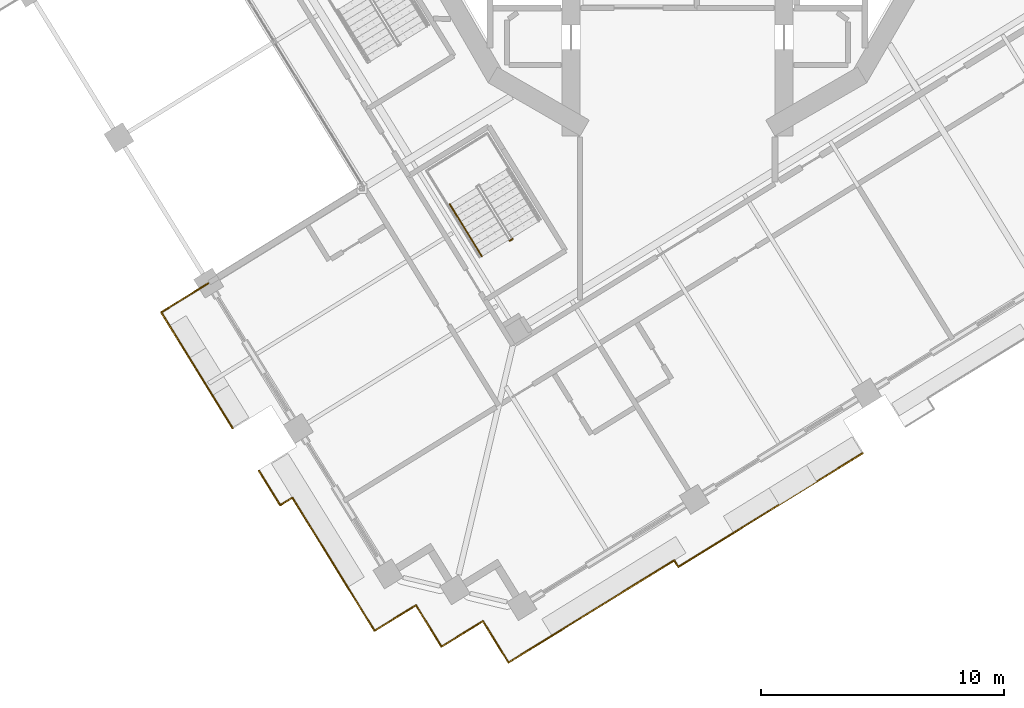
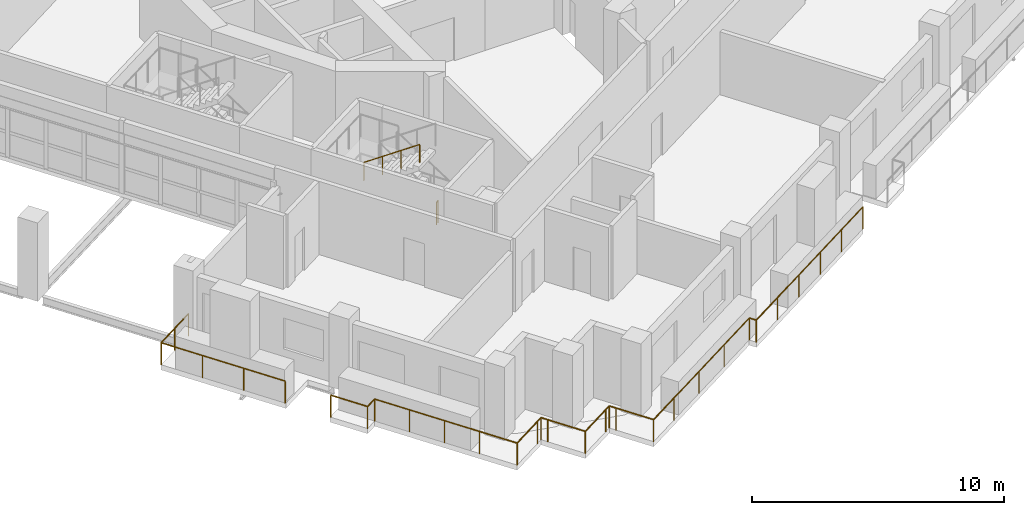
# One storey, part 13 of 20: 5 railings.
"""IFC4 building model written with IfcOpenShell, lengths in metres."""

import ifcopenshell
import ifcopenshell.guid

model = None  # the IFC model being written
_history = None  # IfcOwnerHistory: only IFC2X3 demands one
_inside = {}  # id of a spatial element -> (the spatial element, [elements in it])
_under = {}  # id of a project, library or spatial element -> (it, [spatial elements below it])
_declared = {}  # id of a project -> (the project, [libraries it declares])
_typed = {}  # id of a type object -> (the type object, [elements of that type])
_made_of = {}  # id of a material, layer set ... -> (it, [elements and type objects made of it])


def new_model(schema):
    """Start an empty IFC model of exactly this schema.

    Asked for "IFC4X3", IfcOpenShell would pick the latest addendum, in which some entities
    have other attributes; the version numbers below select the first issue.
    IFC2X3 requires an IfcOwnerHistory on every rooted entity: one is made here for all.
    """
    global model, _history
    if schema == "IFC4X3":
        model = ifcopenshell.file(schema_version=(4, 3, 0, 0))
    else:
        model = ifcopenshell.file(schema=schema)
    _inside.clear()
    _under.clear()
    _declared.clear()
    _typed.clear()
    _made_of.clear()
    _history = None
    if model.schema == "IFC2X3":
        org = make("IfcOrganization", Name="unknown")
        user = make(
            "IfcPersonAndOrganization",
            ThePerson=make("IfcPerson", FamilyName="unknown"),
            TheOrganization=org,
        )
        app = make(
            "IfcApplication",
            ApplicationDeveloper=org,
            Version="unknown",
            ApplicationFullName="unknown",
            ApplicationIdentifier="unknown",
        )
        _history = make(
            "IfcOwnerHistory",
            OwningUser=user,
            OwningApplication=app,
            ChangeAction="ADDED",
            CreationDate=0,
        )
    return model


def make(cls, **values):
    """One entity of the class cls with the attributes given. An attribute that is None is left unset."""
    return model.create_entity(
        cls, **{name: value for name, value in values.items() if value is not None}
    )


def rooted(cls, **values):
    """An entity with a GlobalId (a new one), such as an element, a storey or a relation."""
    return make(cls, GlobalId=ifcopenshell.guid.new(), OwnerHistory=_history, **values)


def si_unit(unit_type, name, prefix=None):
    """IfcSIUnit, for example si_unit("LENGTHUNIT", "METRE", prefix="MILLI")."""
    return make("IfcSIUnit", UnitType=unit_type, Prefix=prefix, Name=name)


def assignment(units):
    """IfcUnitAssignment: the units of a project."""
    return None if units is None else make("IfcUnitAssignment", Units=units)


def point(xyz):
    """IfcCartesianPoint."""
    return None if xyz is None else make("IfcCartesianPoint", Coordinates=xyz)


def direction(xyz):
    """IfcDirection."""
    return None if xyz is None else make("IfcDirection", DirectionRatios=xyz)


def frame(location, z_axis=None, x_axis=None):
    """IfcAxis2Placement3D, a coordinate frame: its origin and axes. An axis left out is left unset."""
    return make(
        "IfcAxis2Placement3D",
        Location=point(location),
        Axis=direction(z_axis),
        RefDirection=direction(x_axis),
    )


def frame_2d(location, x_axis=None):
    """IfcAxis2Placement2D, a coordinate frame in the plane: its origin and x axis."""
    return make(
        "IfcAxis2Placement2D", Location=point(location), RefDirection=direction(x_axis)
    )


def origin():
    """The frame at (0, 0, 0) with its axes left unset."""
    return frame((0.0, 0.0, 0.0))


def origin_2d():
    """The frame at (0, 0) in the plane with its x axis left unset."""
    return frame_2d((0.0, 0.0))


def place(relative_to, where):
    """IfcLocalPlacement: puts the frame where relative to a parent placement (None: the world)."""
    return make(
        "IfcLocalPlacement", PlacementRelTo=relative_to, RelativePlacement=where
    )


def context(
    kind, dimensions, precision=None, world=None, true_north=None, identifier=None
):
    """IfcGeometricRepresentationContext, for example the 3D "Model" context."""
    return make(
        "IfcGeometricRepresentationContext",
        ContextIdentifier=identifier,
        ContextType=kind,
        CoordinateSpaceDimension=dimensions,
        Precision=precision,
        WorldCoordinateSystem=world,
        TrueNorth=true_north,
    )


def subcontext(parent, identifier, kind, view, scale=None):
    """IfcGeometricRepresentationSubContext, for example "Body" below "Model"."""
    return make(
        "IfcGeometricRepresentationSubContext",
        ContextIdentifier=identifier,
        ContextType=kind,
        ParentContext=parent,
        TargetScale=scale,
        TargetView=view,
    )


def project(units=None, contexts=None):
    """IfcProject with its units and contexts."""
    return rooted(
        "IfcProject",
        Name="project",
        RepresentationContexts=contexts,
        UnitsInContext=assignment(units),
    )


def spatial(cls, under=None, at=None, **own):
    """A site, building, storey or space (cls), placed at a placement, below another one or the project."""
    s = rooted(cls, ObjectPlacement=at, **own)
    if under is not None:
        _under.setdefault(under.id(), (under, []))[1].append(s)
    return s


def profile(cls, at=None, kind="AREA", **sizes):
    """A parametric profile (cls). Its sizes go by their IFC names, for example OverallWidth=200.0."""
    return make(cls, ProfileType=kind, Position=at, **sizes)


def circle(**sizes):
    """IfcCircleProfileDef."""
    return profile("IfcCircleProfileDef", **sizes)


def extrude(swept, where, along, depth):
    """IfcExtrudedAreaSolid: the profile swept, set in the frame where, extruded along a direction by depth."""
    return make(
        "IfcExtrudedAreaSolid",
        SweptArea=swept,
        Position=where,
        ExtrudedDirection=direction(along),
        Depth=depth,
    )


def shape(context_of_items, identifier, shape_type, items):
    """IfcShapeRepresentation: the items that make up one representation, for example the "Body"."""
    return make(
        "IfcShapeRepresentation",
        ContextOfItems=context_of_items,
        RepresentationIdentifier=identifier,
        RepresentationType=shape_type,
        Items=items,
    )


def material(Name=None, Category=None):
    """IfcMaterial."""
    return make("IfcMaterial", Name=Name, Category=Category)


def made_of(thing, what):
    """Note that an element or type object is made of a material, layer set ...; save() writes the relation."""
    if what is not None:
        _made_of.setdefault(what.id(), (what, []))[1].append(thing)
    return thing


def type_object(cls, material=None, **own):
    """A type object (cls), such as IfcWallType, which elements share."""
    return made_of(rooted(cls, **own), material)


def element(
    cls,
    number,
    at=None,
    inside=None,
    cuts=None,
    type_object=None,
    material=None,
    context=None,
    identifier="Body",
    shape_type=None,
    held_by="IfcProductDefinitionShape",
    body=None,
    shapes=None,
    **own,
):
    """One element of the class cls, such as IfcWall. Its Tag is "e" and its number.

    at: its placement. inside: the storey or other place that contains it. cuts: it is an
    opening in that element (IfcRelVoidsElement). A single representation is given by context,
    identifier, shape_type and body (its items); several are given by shapes. held_by: the class
    of the entity that holds the representations. save() writes the other relations.
    """
    e = rooted(cls, Tag="e%d" % number, ObjectPlacement=at, **own)
    if body is not None:
        shapes = [shape(context, identifier, shape_type, body)]
    if shapes is not None:
        e.Representation = make(held_by, Representations=shapes)
    if inside is not None:
        _inside.setdefault(inside.id(), (inside, []))[1].append(e)
    if cuts is not None:
        rooted(
            "IfcRelVoidsElement", RelatingBuildingElement=cuts, RelatedOpeningElement=e
        )
    if type_object is not None:
        _typed.setdefault(type_object.id(), (type_object, []))[1].append(e)
    return made_of(e, material)


def aggregate(whole, parts):
    """IfcRelAggregates: a whole, such as a stair, and the parts it consists of."""
    return rooted("IfcRelAggregates", RelatingObject=whole, RelatedObjects=parts)


def save(model, path):
    """Write the relations noted so far, then the file.

    IfcRelAggregates (storeys below a building ...), IfcRelContainedInSpatialStructure (elements
    in a storey), IfcRelDefinesByType, IfcRelAssociatesMaterial and IfcRelDeclares: one each for
    every whole, place, type object, material and project.
    """
    for whole, parts in _under.values():
        aggregate(whole, parts)
    for where, things in _inside.values():
        rooted(
            "IfcRelContainedInSpatialStructure",
            RelatedElements=things,
            RelatingStructure=where,
        )
    for kind, things in _typed.values():
        rooted("IfcRelDefinesByType", RelatedObjects=things, RelatingType=kind)
    for what, things in _made_of.values():
        rooted("IfcRelAssociatesMaterial", RelatedObjects=things, RelatingMaterial=what)
    for by, libraries in _declared.values():
        rooted("IfcRelDeclares", RelatingContext=by, RelatedDefinitions=libraries)
    model.write(path)


model = new_model("IFC4")

# Units and contexts
model_context = context("Model", 3, precision=1e-05, world=origin(), true_north=direction((0.0, 1.0)))
body_context = subcontext(model_context, "Body", "Model", "MODEL_VIEW")
ifc_project = project(units=[si_unit("LENGTHUNIT", "METRE"), si_unit("AREAUNIT", "SQUARE_METRE"), si_unit("VOLUMEUNIT", "CUBIC_METRE"), si_unit("PLANEANGLEUNIT", "RADIAN"), si_unit("MASSUNIT", "GRAM", prefix="KILO")], contexts=[model_context])

# Site, building, storey
site_placement = place(None, origin())
site = spatial("IfcSite", under=ifc_project, at=site_placement, CompositionType="ELEMENT")
building_placement = place(site_placement, origin())
building = spatial("IfcBuilding", under=site, at=building_placement, Name="Cantera Rosa Tower", CompositionType="ELEMENT")
storey_placement = place(building_placement, frame((0.0, 0.0, 151.39990234375)))
storey = spatial("IfcBuildingStorey", under=building, at=storey_placement, Name="L32", CompositionType="ELEMENT", Elevation=151.39990234375)

# Railings
ifc_material_1 = material(Name="Stainless steel and laminated glass", Category="steel")
railing_type_1 = type_object("IfcRailingType", Name="GUARD 1100", PredefinedType="BALUSTRADE", material=ifc_material_1)
railing_1_placement = place(storey_placement, frame((-12.44873046875, -30.2958984375, 0.0)))
element("IfcRailing", 1, at=railing_1_placement, inside=storey, type_object=railing_type_1, Name="GUARD L32-1", PredefinedType="BALUSTRADE", context=body_context, shape_type="SweptSolid", body=[
    extrude(circle(Radius=0.030029296875, at=origin_2d()), frame((0.0, 0.0, 1.070068359375), z_axis=(-0.524994468487, 0.851105638601, 0.0), x_axis=(-0.851105638601, -0.524994468487, 0.0)), (0.0, 0.0, 1.0), 1.7001953125),
    extrude(circle(Radius=0.030029296875, at=origin_2d()), frame((-0.892578125, 1.447021484375, 1.070068359375), z_axis=(-0.525004673435, 0.851099343715, 0.0), x_axis=(-0.851099343715, -0.525004673435, 0.0)), (0.0, 0.0, 1.0), 4.72802734375),
    extrude(circle(Radius=0.030029296875, at=origin_2d()), frame((-3.374755859375, 5.470947265625, 1.070068359375), z_axis=(-0.851204663561, -0.524833898231, 0.0), x_axis=(0.524833898231, -0.851204663561, 0.0)), (0.0, 0.0, 1.0), 0.591796875),
    extrude(circle(Radius=0.030029296875, at=origin_2d()), frame((-3.87841796875, 5.160400390625, 1.070068359375), z_axis=(-0.525064312401, 0.85106255225, 0.0), x_axis=(-0.85106255225, -0.525064312401, 0.0)), (0.0, 0.0, 1.0), 1.661865234375),
    extrude(circle(Radius=0.02490234375, at=origin_2d()), origin(), (0.0, 0.0, 1.0), 1.0400390625),
    extrude(circle(Radius=0.02490234375, at=origin_2d()), frame((-0.892578125, 1.447021484375, 0.0)), (0.0, 0.0, 1.0), 1.0400390625),
    extrude(circle(Radius=0.02490234375, at=origin_2d()), frame((-1.719970703125, 2.788330078125, 0.0)), (0.0, 0.0, 1.0), 1.0400390625),
    extrude(circle(Radius=0.02490234375, at=origin_2d()), frame((-2.54736328125, 4.129638671875, 0.0)), (0.0, 0.0, 1.0), 1.0400390625),
    extrude(circle(Radius=0.02490234375, at=origin_2d()), frame((-3.374755859375, 5.470947265625, 0.0)), (0.0, 0.0, 1.0), 1.0400390625),
    extrude(circle(Radius=0.02490234375, at=origin_2d()), frame((-3.87841796875, 5.160400390625, 0.0)), (0.0, 0.0, 1.0), 1.0400390625),
    extrude(circle(Radius=0.02490234375, at=origin_2d()), frame((-4.7509765625, 6.57470703125, 0.0)), (0.0, 0.0, 1.0), 1.0400390625),
])
railing_2_placement = place(storey_placement, frame((7.6162109375, -22.99560546875, 0.0)))
element("IfcRailing", 2, at=railing_2_placement, inside=storey, type_object=railing_type_1, Name="GUARD L32-2", PredefinedType="BALUSTRADE", context=body_context, shape_type="SweptSolid", body=[
    extrude(circle(Radius=0.030029296875, at=origin_2d()), frame((0.0, 0.0, 1.070068359375), z_axis=(-0.851115983017, -0.524977698053, 0.0), x_axis=(0.524977698053, -0.851115983017, 0.0)), (0.0, 0.0, 1.0), 8.910400390625),
    extrude(circle(Radius=0.030029296875, at=origin_2d()), frame((-7.583740234375, -4.677734375, 1.070068359375), z_axis=(-0.525330545402, 0.850898241899, 0.0), x_axis=(-0.850898241899, -0.525330545402, 0.0)), (0.0, 0.0, 1.0), 0.3203125),
    extrude(circle(Radius=0.030029296875, at=origin_2d()), frame((-7.751953125, -4.4052734375, 1.070068359375), z_axis=(-0.851122963342, -0.524966381087, 0.0), x_axis=(0.524966381087, -0.851122963342, 0.0)), (0.0, 0.0, 1.0), 6.2998046875),
    extrude(circle(Radius=0.030029296875, at=origin_2d()), frame((-13.11376953125, -7.71240234375, 1.070068359375), z_axis=(-0.851130227454, -0.524954603669, 0.0), x_axis=(0.524954603669, -0.851130227454, 0.0)), (0.0, 0.0, 1.0), 1.699951171875),
    extrude(circle(Radius=0.030029296875, at=origin_2d()), frame((-14.560546875, -8.604736328125, 1.070068359375), z_axis=(-0.525058638144, 0.851066052965, 0.0), x_axis=(-0.851066052965, -0.525058638144, 0.0)), (0.0, 0.0, 1.0), 1.699951171875),
    extrude(circle(Radius=0.030029296875, at=origin_2d()), frame((-15.453125, -7.157958984375, 1.070068359375), z_axis=(-0.524869051004, 0.85118298814, 0.0), x_axis=(-0.85118298814, -0.524869051004, 0.0)), (0.0, 0.0, 1.0), 0.300048828125),
    extrude(circle(Radius=0.030029296875, at=origin_2d()), frame((-15.610595703125, -6.902587890625, 1.070068359375), z_axis=(-0.85118298814, -0.524869051004, 0.0), x_axis=(0.524869051004, -0.85118298814, 0.0)), (0.0, 0.0, 1.0), 0.300048828125),
    extrude(circle(Radius=0.030029296875, at=origin_2d()), frame((-15.865966796875, -7.06005859375, 1.070068359375), z_axis=(-0.851066052965, -0.525058638144, 0.0), x_axis=(0.525058638144, -0.851066052965, 0.0)), (0.0, 0.0, 1.0), 1.699951171875),
    extrude(circle(Radius=0.030029296875, at=origin_2d()), frame((-17.312744140625, -7.95263671875, 1.070068359375), z_axis=(-0.524994468487, 0.851105638601, 0.0), x_axis=(-0.851105638601, -0.524994468487, 0.0)), (0.0, 0.0, 1.0), 1.7001953125),
    extrude(circle(Radius=0.030029296875, at=origin_2d()), frame((-18.205322265625, -6.505615234375, 1.070068359375), z_axis=(-0.524869051004, 0.85118298814, 0.0), x_axis=(-0.85118298814, -0.524869051004, 0.0)), (0.0, 0.0, 1.0), 0.300048828125),
    extrude(circle(Radius=0.030029296875, at=origin_2d()), frame((-18.36279296875, -6.250244140625, 1.070068359375), z_axis=(-0.85118298814, -0.524869051004, 0.0), x_axis=(0.524869051004, -0.85118298814, 0.0)), (0.0, 0.0, 1.0), 0.300048828125),
    extrude(circle(Radius=0.030029296875, at=origin_2d()), frame((-18.6181640625, -6.40771484375, 1.070068359375), z_axis=(-0.851066052965, -0.525058638144, 0.0), x_axis=(0.525058638144, -0.851066052965, 0.0)), (0.0, 0.0, 1.0), 1.699951171875),
    extrude(circle(Radius=0.02490234375, at=origin_2d()), origin(), (0.0, 0.0, 1.0), 1.0400390625),
    extrude(circle(Radius=0.02490234375, at=origin_2d()), frame((-1.516845703125, -0.935546875, 0.0)), (0.0, 0.0, 1.0), 1.0400390625),
    extrude(circle(Radius=0.02490234375, at=origin_2d()), frame((-3.033447265625, -1.87109375, 0.0)), (0.0, 0.0, 1.0), 1.0400390625),
    extrude(circle(Radius=0.02490234375, at=origin_2d()), frame((-4.55029296875, -2.806640625, 0.0)), (0.0, 0.0, 1.0), 1.0400390625),
    extrude(circle(Radius=0.02490234375, at=origin_2d()), frame((-6.06689453125, -3.7421875, 0.0)), (0.0, 0.0, 1.0), 1.0400390625),
    extrude(circle(Radius=0.02490234375, at=origin_2d()), frame((-7.583740234375, -4.677734375, 0.0)), (0.0, 0.0, 1.0), 1.0400390625),
    extrude(circle(Radius=0.02490234375, at=origin_2d()), frame((-7.751953125, -4.4052734375, 0.0)), (0.0, 0.0, 1.0), 1.0400390625),
    extrude(circle(Radius=0.02490234375, at=origin_2d()), frame((-9.539306640625, -5.507568359375, 0.0)), (0.0, 0.0, 1.0), 1.0400390625),
    extrude(circle(Radius=0.02490234375, at=origin_2d()), frame((-11.326416015625, -6.610107421875, 0.0)), (0.0, 0.0, 1.0), 1.0400390625),
    extrude(circle(Radius=0.02490234375, at=origin_2d()), frame((-13.11376953125, -7.71240234375, 0.0)), (0.0, 0.0, 1.0), 1.0400390625),
    extrude(circle(Radius=0.02490234375, at=origin_2d()), frame((-14.560546875, -8.604736328125, 0.0)), (0.0, 0.0, 1.0), 1.0400390625),
    extrude(circle(Radius=0.02490234375, at=origin_2d()), frame((-15.453125, -7.157958984375, 0.0)), (0.0, 0.0, 1.0), 1.0400390625),
    extrude(circle(Radius=0.02490234375, at=origin_2d()), frame((-15.610595703125, -6.902587890625, 0.0)), (0.0, 0.0, 1.0), 1.0400390625),
    extrude(circle(Radius=0.02490234375, at=origin_2d()), frame((-15.865966796875, -7.06005859375, 0.0)), (0.0, 0.0, 1.0), 1.0400390625),
    extrude(circle(Radius=0.02490234375, at=origin_2d()), frame((-17.312744140625, -7.95263671875, 0.0)), (0.0, 0.0, 1.0), 1.0400390625),
    extrude(circle(Radius=0.02490234375, at=origin_2d()), frame((-18.205322265625, -6.505615234375, 0.0)), (0.0, 0.0, 1.0), 1.0400390625),
    extrude(circle(Radius=0.02490234375, at=origin_2d()), frame((-18.36279296875, -6.250244140625, 0.0)), (0.0, 0.0, 1.0), 1.0400390625),
    extrude(circle(Radius=0.02490234375, at=origin_2d()), frame((-18.6181640625, -6.40771484375, 0.0)), (0.0, 0.0, 1.0), 1.0400390625),
    extrude(circle(Radius=0.02490234375, at=origin_2d()), frame((-20.06494140625, -7.30029296875, 0.0)), (0.0, 0.0, 1.0), 1.0400390625),
])
railing_3_placement = place(storey_placement, frame((-18.281005859375, -21.9677734375, 0.0)))
element("IfcRailing", 3, at=railing_3_placement, inside=storey, type_object=railing_type_1, Name="GUARD L32-3", PredefinedType="BALUSTRADE", context=body_context, shape_type="SweptSolid", body=[
    extrude(circle(Radius=0.030029296875, at=origin_2d()), frame((0.0, 0.0, 1.070068359375), z_axis=(-0.524996277939, 0.851104522459, 0.0), x_axis=(-0.851104522459, -0.524996277939, 0.0)), (0.0, 0.0, 1.0), 5.590087890625),
    extrude(circle(Radius=0.030029296875, at=origin_2d()), frame((-2.934814453125, 4.7578125, 1.070068359375), z_axis=(0.851152466231, 0.524918545327, 0.0), x_axis=(-0.524918545327, 0.851152466231, 0.0)), (0.0, 0.0, 1.0), 2.27197265625),
    extrude(circle(Radius=0.02490234375, at=origin_2d()), origin(), (0.0, 0.0, 1.0), 1.0400390625),
    extrude(circle(Radius=0.02490234375, at=origin_2d()), frame((-0.978271484375, 1.5859375, 0.0)), (0.0, 0.0, 1.0), 1.0400390625),
    extrude(circle(Radius=0.02490234375, at=origin_2d()), frame((-1.95654296875, 3.171875, 0.0)), (0.0, 0.0, 1.0), 1.0400390625),
    extrude(circle(Radius=0.02490234375, at=origin_2d()), frame((-2.934814453125, 4.7578125, 0.0)), (0.0, 0.0, 1.0), 1.0400390625),
    extrude(circle(Radius=0.02490234375, at=origin_2d()), frame((-1.9677734375, 5.35400390625, 0.0)), (0.0, 0.0, 1.0), 1.0400390625),
    extrude(circle(Radius=0.02490234375, at=origin_2d()), frame((-1.0009765625, 5.950439453125, 0.0)), (0.0, 0.0, 1.0), 1.0400390625),
])
ifc_material_2 = material(Name="Steel S355J2 (EN 10025-2)", Category="steel")
railing_type_2 = type_object("IfcRailingType", Name="STAIR GUARD 1100", PredefinedType="GUARDRAIL", material=ifc_material_2)
railing_4_placement = place(storey_placement, frame((-6.77490234375, -14.19482421875, 0.0)))
element("IfcRailing", 4, at=railing_4_placement, inside=storey, type_object=railing_type_2, Name="L32 ST-33 stair guard 3", PredefinedType="GUARDRAIL", context=body_context, shape_type="SweptSolid", body=[
    extrude(circle(Radius=0.02392578125, at=origin_2d()), frame((0.0, 0.0, 1.076171875), z_axis=(-0.851546489876, -0.524279100842, 0.0), x_axis=(0.524279100842, -0.851546489876, 0.0)), (0.0, 0.0, 1.0), 0.14990234375),
    extrude(circle(Radius=0.02099609375, at=origin_2d()), origin(), (0.0, 0.0, 1.0), 1.052001953125),
    extrude(circle(Radius=0.02099609375, at=origin_2d()), frame((-0.127685546875, -0.07861328125, 0.0)), (0.0, 0.0, 1.0), 1.052001953125),
])
ifc_material_3 = material(Name="Steel S355J2 (EN 10025-2)", Category="steel")
railing_type_3 = type_object("IfcRailingType", Name="STAIR HANDRAIL 900", PredefinedType="HANDRAIL", material=ifc_material_3)
railing_5_placement = place(storey_placement, frame((-9.358154296875, -12.7685546875, 2.090087890625)))
element("IfcRailing", 5, at=railing_5_placement, inside=storey, type_object=railing_type_3, Name="L32 ST-33 stair handrail 2", PredefinedType="HANDRAIL", context=body_context, shape_type="SweptSolid", body=[
    extrude(circle(Radius=0.02392578125, at=origin_2d()), frame((0.0, 0.0, 0.8759765625), z_axis=(0.434362572038, -0.70429590169, 0.561512634654), x_axis=(0.851145618652, 0.524929648476, 0.0)), (0.0, 0.0, 1.0), 3.045166015625),
    extrude(circle(Radius=0.02099609375, at=origin_2d()), origin(), (0.0, 0.0, 1.0), 0.851806640625),
    extrude(circle(Radius=0.02099609375, at=origin_2d()), frame((0.44091796875, -0.71484375, 0.570068359375)), (0.0, 0.0, 1.0), 0.851806640625),
    extrude(circle(Radius=0.02099609375, at=origin_2d()), frame((0.8818359375, -1.429931640625, 1.139892578125)), (0.0, 0.0, 1.0), 0.851806640625),
    extrude(circle(Radius=0.02099609375, at=origin_2d()), frame((1.32275390625, -2.144775390625, 1.7099609375)), (0.0, 0.0, 1.0), 0.851806640625),
])

save(model, "model.ifc")
